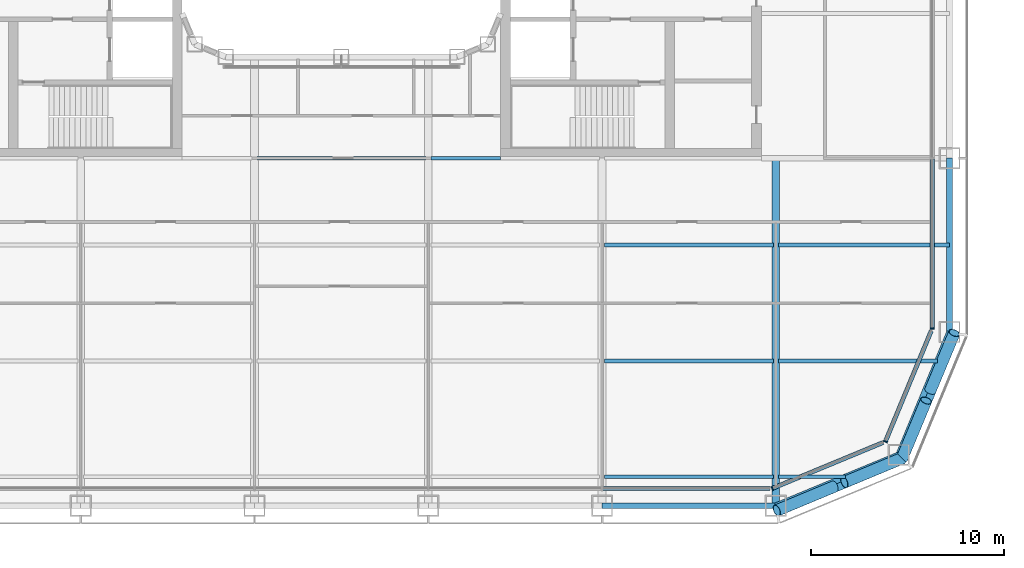
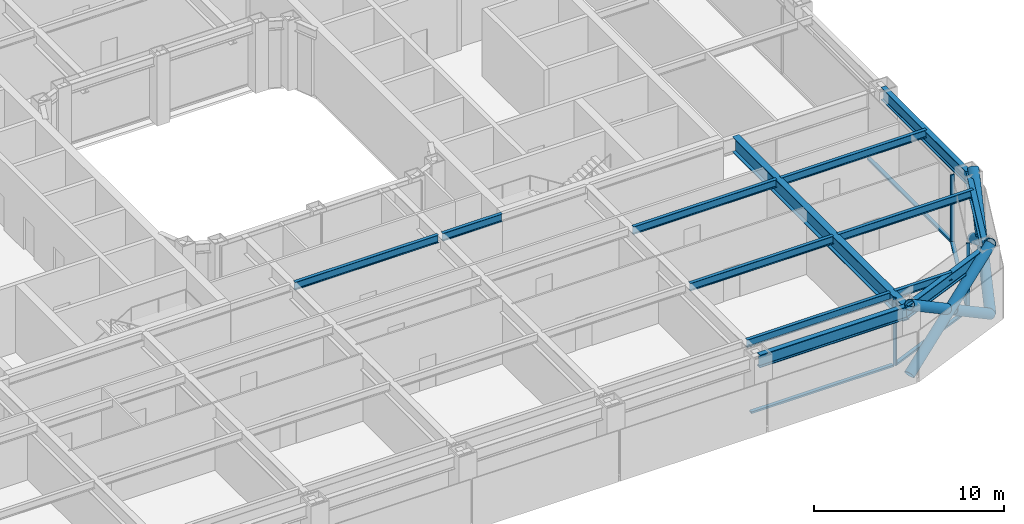
# One storey, part 4 of 30: 13 beams, 13 members, 4 elements without a shape of their own.
"""IFC4 building model written with IfcOpenShell, lengths in metres."""

import ifcopenshell
import ifcopenshell.guid

model = None  # the IFC model being written
_history = None  # IfcOwnerHistory: only IFC2X3 demands one
_inside = {}  # id of a spatial element -> (the spatial element, [elements in it])
_under = {}  # id of a project, library or spatial element -> (it, [spatial elements below it])
_declared = {}  # id of a project -> (the project, [libraries it declares])
_typed = {}  # id of a type object -> (the type object, [elements of that type])
_made_of = {}  # id of a material, layer set ... -> (it, [elements and type objects made of it])


def new_model(schema):
    """Start an empty IFC model of exactly this schema.

    Asked for "IFC4X3", IfcOpenShell would pick the latest addendum, in which some entities
    have other attributes; the version numbers below select the first issue.
    IFC2X3 requires an IfcOwnerHistory on every rooted entity: one is made here for all.
    """
    global model, _history
    if schema == "IFC4X3":
        model = ifcopenshell.file(schema_version=(4, 3, 0, 0))
    else:
        model = ifcopenshell.file(schema=schema)
    _inside.clear()
    _under.clear()
    _declared.clear()
    _typed.clear()
    _made_of.clear()
    _history = None
    if model.schema == "IFC2X3":
        org = make("IfcOrganization", Name="unknown")
        user = make(
            "IfcPersonAndOrganization",
            ThePerson=make("IfcPerson", FamilyName="unknown"),
            TheOrganization=org,
        )
        app = make(
            "IfcApplication",
            ApplicationDeveloper=org,
            Version="unknown",
            ApplicationFullName="unknown",
            ApplicationIdentifier="unknown",
        )
        _history = make(
            "IfcOwnerHistory",
            OwningUser=user,
            OwningApplication=app,
            ChangeAction="ADDED",
            CreationDate=0,
        )
    return model


def make(cls, **values):
    """One entity of the class cls with the attributes given. An attribute that is None is left unset."""
    return model.create_entity(
        cls, **{name: value for name, value in values.items() if value is not None}
    )


def rooted(cls, **values):
    """An entity with a GlobalId (a new one), such as an element, a storey or a relation."""
    return make(cls, GlobalId=ifcopenshell.guid.new(), OwnerHistory=_history, **values)


def si_unit(unit_type, name, prefix=None):
    """IfcSIUnit, for example si_unit("LENGTHUNIT", "METRE", prefix="MILLI")."""
    return make("IfcSIUnit", UnitType=unit_type, Prefix=prefix, Name=name)


def assignment(units):
    """IfcUnitAssignment: the units of a project."""
    return None if units is None else make("IfcUnitAssignment", Units=units)


def point(xyz):
    """IfcCartesianPoint."""
    return None if xyz is None else make("IfcCartesianPoint", Coordinates=xyz)


def direction(xyz):
    """IfcDirection."""
    return None if xyz is None else make("IfcDirection", DirectionRatios=xyz)


def frame(location, z_axis=None, x_axis=None):
    """IfcAxis2Placement3D, a coordinate frame: its origin and axes. An axis left out is left unset."""
    return make(
        "IfcAxis2Placement3D",
        Location=point(location),
        Axis=direction(z_axis),
        RefDirection=direction(x_axis),
    )


def frame_2d(location, x_axis=None):
    """IfcAxis2Placement2D, a coordinate frame in the plane: its origin and x axis."""
    return make(
        "IfcAxis2Placement2D", Location=point(location), RefDirection=direction(x_axis)
    )


def origin():
    """The frame at (0, 0, 0) with its axes left unset."""
    return frame((0.0, 0.0, 0.0))


def origin_2d():
    """The frame at (0, 0) in the plane with its x axis left unset."""
    return frame_2d((0.0, 0.0))


def place(relative_to, where):
    """IfcLocalPlacement: puts the frame where relative to a parent placement (None: the world)."""
    return make(
        "IfcLocalPlacement", PlacementRelTo=relative_to, RelativePlacement=where
    )


def context(
    kind, dimensions, precision=None, world=None, true_north=None, identifier=None
):
    """IfcGeometricRepresentationContext, for example the 3D "Model" context."""
    return make(
        "IfcGeometricRepresentationContext",
        ContextIdentifier=identifier,
        ContextType=kind,
        CoordinateSpaceDimension=dimensions,
        Precision=precision,
        WorldCoordinateSystem=world,
        TrueNorth=true_north,
    )


def subcontext(parent, identifier, kind, view, scale=None):
    """IfcGeometricRepresentationSubContext, for example "Body" below "Model"."""
    return make(
        "IfcGeometricRepresentationSubContext",
        ContextIdentifier=identifier,
        ContextType=kind,
        ParentContext=parent,
        TargetScale=scale,
        TargetView=view,
    )


def project(units=None, contexts=None):
    """IfcProject with its units and contexts."""
    return rooted(
        "IfcProject",
        Name="project",
        RepresentationContexts=contexts,
        UnitsInContext=assignment(units),
    )


def spatial(cls, under=None, at=None, **own):
    """A site, building, storey or space (cls), placed at a placement, below another one or the project."""
    s = rooted(cls, ObjectPlacement=at, **own)
    if under is not None:
        _under.setdefault(under.id(), (under, []))[1].append(s)
    return s


def profile(cls, at=None, kind="AREA", **sizes):
    """A parametric profile (cls). Its sizes go by their IFC names, for example OverallWidth=200.0."""
    return make(cls, ProfileType=kind, Position=at, **sizes)


def rectangle(**sizes):
    """IfcRectangleProfileDef."""
    return profile("IfcRectangleProfileDef", **sizes)


def hollow_circle(**sizes):
    """IfcCircleHollowProfileDef."""
    return profile("IfcCircleHollowProfileDef", **sizes)


def i_section(**sizes):
    """IfcIShapeProfileDef."""
    return profile("IfcIShapeProfileDef", **sizes)


def extrude(swept, where, along, depth):
    """IfcExtrudedAreaSolid: the profile swept, set in the frame where, extruded along a direction by depth."""
    return make(
        "IfcExtrudedAreaSolid",
        SweptArea=swept,
        Position=where,
        ExtrudedDirection=direction(along),
        Depth=depth,
    )


def shape(context_of_items, identifier, shape_type, items):
    """IfcShapeRepresentation: the items that make up one representation, for example the "Body"."""
    return make(
        "IfcShapeRepresentation",
        ContextOfItems=context_of_items,
        RepresentationIdentifier=identifier,
        RepresentationType=shape_type,
        Items=items,
    )


def material(Name=None, Category=None):
    """IfcMaterial."""
    return make("IfcMaterial", Name=Name, Category=Category)


def layer(
    of_material, thickness, ventilated=None, Name=None, Category=None, Priority=None
):
    """IfcMaterialLayer: one layer of a wall or slab, of a material (None: an air gap)."""
    return make(
        "IfcMaterialLayer",
        Material=of_material,
        LayerThickness=thickness,
        IsVentilated=ventilated,
        Name=Name,
        Category=Category,
        Priority=Priority,
    )


def layer_set(layers, Name=None):
    """IfcMaterialLayerSet."""
    return make("IfcMaterialLayerSet", MaterialLayers=layers, LayerSetName=Name)


def material_profile(
    of_material, cross_section, Name=None, Category=None, Priority=None
):
    """IfcMaterialProfile: a cross section and its material."""
    return make(
        "IfcMaterialProfile",
        Name=Name,
        Material=of_material,
        Profile=cross_section,
        Priority=Priority,
        Category=Category,
    )


def profile_set(profiles, Name=None, composite=None):
    """IfcMaterialProfileSet."""
    return make(
        "IfcMaterialProfileSet",
        Name=Name,
        MaterialProfiles=profiles,
        CompositeProfile=composite,
    )


def made_of(thing, what):
    """Note that an element or type object is made of a material, layer set ...; save() writes the relation."""
    if what is not None:
        _made_of.setdefault(what.id(), (what, []))[1].append(thing)
    return thing


def type_object(cls, material=None, **own):
    """A type object (cls), such as IfcWallType, which elements share."""
    return made_of(rooted(cls, **own), material)


def element(
    cls,
    number,
    at=None,
    inside=None,
    cuts=None,
    type_object=None,
    material=None,
    context=None,
    identifier="Body",
    shape_type=None,
    held_by="IfcProductDefinitionShape",
    body=None,
    shapes=None,
    **own,
):
    """One element of the class cls, such as IfcWall. Its Tag is "e" and its number.

    at: its placement. inside: the storey or other place that contains it. cuts: it is an
    opening in that element (IfcRelVoidsElement). A single representation is given by context,
    identifier, shape_type and body (its items); several are given by shapes. held_by: the class
    of the entity that holds the representations. save() writes the other relations.
    """
    e = rooted(cls, Tag="e%d" % number, ObjectPlacement=at, **own)
    if body is not None:
        shapes = [shape(context, identifier, shape_type, body)]
    if shapes is not None:
        e.Representation = make(held_by, Representations=shapes)
    if inside is not None:
        _inside.setdefault(inside.id(), (inside, []))[1].append(e)
    if cuts is not None:
        rooted(
            "IfcRelVoidsElement", RelatingBuildingElement=cuts, RelatedOpeningElement=e
        )
    if type_object is not None:
        _typed.setdefault(type_object.id(), (type_object, []))[1].append(e)
    return made_of(e, material)


def aggregate(whole, parts):
    """IfcRelAggregates: a whole, such as a stair, and the parts it consists of."""
    return rooted("IfcRelAggregates", RelatingObject=whole, RelatedObjects=parts)


def save(model, path):
    """Write the relations noted so far, then the file.

    IfcRelAggregates (storeys below a building ...), IfcRelContainedInSpatialStructure (elements
    in a storey), IfcRelDefinesByType, IfcRelAssociatesMaterial and IfcRelDeclares: one each for
    every whole, place, type object, material and project.
    """
    for whole, parts in _under.values():
        aggregate(whole, parts)
    for where, things in _inside.values():
        rooted(
            "IfcRelContainedInSpatialStructure",
            RelatedElements=things,
            RelatingStructure=where,
        )
    for kind, things in _typed.values():
        rooted("IfcRelDefinesByType", RelatedObjects=things, RelatingType=kind)
    for what, things in _made_of.values():
        rooted("IfcRelAssociatesMaterial", RelatedObjects=things, RelatingMaterial=what)
    for by, libraries in _declared.values():
        rooted("IfcRelDeclares", RelatingContext=by, RelatedDefinitions=libraries)
    model.write(path)


model = new_model("IFC4")

# Units and contexts
model_context = context("Model", 3, precision=1e-05, world=origin(), true_north=direction((0.0, 1.0)))
body_context = subcontext(model_context, "Body", "Model", "MODEL_VIEW")
ifc_project = project(units=[si_unit("LENGTHUNIT", "METRE"), si_unit("AREAUNIT", "SQUARE_METRE"), si_unit("VOLUMEUNIT", "CUBIC_METRE"), si_unit("PLANEANGLEUNIT", "RADIAN"), si_unit("MASSUNIT", "GRAM", prefix="KILO")], contexts=[model_context])

# Site, building, storey
site_placement = place(None, origin())
site = spatial("IfcSite", under=ifc_project, at=site_placement, CompositionType="ELEMENT")
building_placement = place(site_placement, origin())
building = spatial("IfcBuilding", under=site, at=building_placement, Name="Siwar Civic Tower", CompositionType="ELEMENT")
storey_placement = place(building_placement, frame((0.0, 0.0, 44.699951171875)))
storey = spatial("IfcBuildingStorey", under=building, at=storey_placement, Name="L09", CompositionType="ELEMENT", Elevation=44.699951171875)

# Curtain wall, member
ifc_material_1 = material(Name="Aluminium clad insulated panel", Category="aluminium")
ifc_layer_1 = layer(ifc_material_1, 0.219970703125)
ifc_layer_set_1 = layer_set([ifc_layer_1], Name="Aluminium clad insulated panel")
curtain_wall_type_1 = type_object("IfcCurtainWallType", Name="ENV-CW-AX", PredefinedType="NOTDEFINED", material=ifc_layer_set_1)
curtain_wall_1_placement = place(storey_placement, origin())
curtain_wall_1 = element("IfcCurtainWall", 1, at=curtain_wall_1_placement, inside=storey, type_object=curtain_wall_type_1, Name="Curtain wall A SE1", PredefinedType="NOTDEFINED")
ifc_material_2 = material(Name="Aluminium 6063-T6", Category="aluminium")
ifc_material_profile_1 = material_profile(ifc_material_2, rectangle(XDim=0.219970703125, YDim=0.070068359375, at=origin_2d()), Name="AL 220x70")
ifc_profile_set_1 = profile_set([ifc_material_profile_1], Name="Aluminium 6063-T6")
member_type_1 = type_object("IfcMemberType", Name="ENV-MULLION-A", PredefinedType="MULLION", material=ifc_profile_set_1)
member_1_placement = place(storey_placement, frame((22.321044921875, -30.60009765625, 0.0), z_axis=(0.0, 0.0, 1.0), x_axis=(-0.382683432365, 0.923879532511, 0.0)))
member_1 = element("IfcMember", 2, at=member_1_placement, type_object=member_type_1, Name="Mullion A SE1 1", PredefinedType="MULLION", context=body_context, shape_type="SweptSolid", body=[
    extrude(rectangle(XDim=0.219970703125, YDim=0.070068359375, at=origin_2d()), origin(), (0.0, 0.0, 1.0), 4.35009765625),
])

curtain_wall_2_placement = place(storey_placement, origin())
curtain_wall_2 = element("IfcCurtainWall", 3, at=curtain_wall_2_placement, inside=storey, type_object=curtain_wall_type_1, Name="Curtain wall A SE2", PredefinedType="NOTDEFINED")
member_2_placement = place(storey_placement, frame((28.175048828125, -28.175048828125, 0.0), z_axis=(0.0, 0.0, 1.0), x_axis=(-0.923879532511, 0.382683432365, 0.0)))
member_2 = element("IfcMember", 4, at=member_2_placement, type_object=member_type_1, Name="Mullion A SE2 1", PredefinedType="MULLION", context=body_context, shape_type="SweptSolid", body=[
    extrude(rectangle(XDim=0.219970703125, YDim=0.070068359375, at=origin_2d()), origin(), (0.0, 0.0, 1.0), 4.35009765625),
])

ifc_material_3 = material(Name="Aluminium and glass", Category="aluminium")
ifc_layer_2 = layer(ifc_material_3, 0.219970703125)
ifc_layer_set_2 = layer_set([ifc_layer_2], Name="Aluminium and glass")
curtain_wall_type_2 = type_object("IfcCurtainWallType", Name="ENV-CW-A", PredefinedType="NOTDEFINED", material=ifc_layer_set_2)
curtain_wall_3_placement = place(storey_placement, origin())
curtain_wall_3 = element("IfcCurtainWall", 5, at=curtain_wall_3_placement, inside=storey, type_object=curtain_wall_type_2, Name="Curtain wall A E", PredefinedType="NOTDEFINED")
member_3_placement = place(storey_placement, frame((30.60009765625, -22.321044921875, 0.0), z_axis=(0.0, 0.0, 1.0), x_axis=(-1.0, 0.0, 0.0)))
member_3 = element("IfcMember", 6, at=member_3_placement, type_object=member_type_1, Name="Mullion A E 1", PredefinedType="MULLION", context=body_context, shape_type="SweptSolid", body=[
    extrude(rectangle(XDim=0.219970703125, YDim=0.070068359375, at=origin_2d()), origin(), (0.0, 0.0, 1.0), 4.35009765625),
])

curtain_wall_4_placement = place(storey_placement, origin())
curtain_wall_4 = element("IfcCurtainWall", 7, at=curtain_wall_4_placement, inside=storey, type_object=curtain_wall_type_2, Name="Curtain wall A S", PredefinedType="NOTDEFINED")
ifc_material_4 = material(Name="Aluminium 6063-T6", Category="aluminium")
ifc_material_profile_2 = material_profile(ifc_material_4, rectangle(XDim=0.219970703125, YDim=0.1201171875, at=origin_2d()), Name="AL 220x120")
ifc_profile_set_2 = profile_set([ifc_material_profile_2], Name="Aluminium 6063-T6")
member_type_2 = type_object("IfcMemberType", Name="ENV-TRANSOM-A", PredefinedType="USERDEFINED", material=ifc_profile_set_2)
member_4_placement = place(storey_placement, frame((13.534912109375, -30.60009765625, 0.06005859375), z_axis=(1.0, 0.0, 0.0), x_axis=(0.0, 1.0, 0.0)))
member_4 = element("IfcMember", 8, at=member_4_placement, type_object=member_type_2, Name="Transom A S 5", ObjectType="TRANSOM", PredefinedType="USERDEFINED", context=body_context, shape_type="SweptSolid", body=[
    extrude(rectangle(XDim=0.219970703125, YDim=0.1201171875, at=origin_2d()), origin(), (0.0, 0.0, 1.0), 8.66357421875),
])
aggregate(curtain_wall_4, [member_4])

# Member
member_5_placement = place(storey_placement, frame((22.353271484375, -30.586669921875, 0.06005859375), z_axis=(0.923873326341, 0.382698415042, 0.0), x_axis=(-0.382698415042, 0.923873326341, 0.0)))
member_5 = element("IfcMember", 9, at=member_5_placement, type_object=member_type_2, Name="Transom A SE1 1", ObjectType="TRANSOM", PredefinedType="USERDEFINED", context=body_context, shape_type="SweptSolid", body=[
    extrude(rectangle(XDim=0.219970703125, YDim=0.1201171875, at=origin_2d()), origin(), (0.0, 0.0, 1.0), 6.17919921875),
])

aggregate(curtain_wall_1, [member_1, member_5])

member_6_placement = place(storey_placement, frame((28.1884765625, -28.142822265625, 0.06005859375), z_axis=(0.382698415042, 0.923873326341, 0.0), x_axis=(-0.923873326341, 0.382698415042, 0.0)))
member_6 = element("IfcMember", 10, at=member_6_placement, type_object=member_type_2, Name="Transom A SE2 1", ObjectType="TRANSOM", PredefinedType="USERDEFINED", context=body_context, shape_type="SweptSolid", body=[
    extrude(rectangle(XDim=0.219970703125, YDim=0.1201171875, at=origin_2d()), origin(), (0.0, 0.0, 1.0), 6.17919921875),
])

aggregate(curtain_wall_2, [member_2, member_6])

member_7_placement = place(storey_placement, frame((30.60009765625, -22.285888671875, 0.06005859375), z_axis=(0.0, 1.0, 0.0), x_axis=(-1.0, 0.0, 0.0)))
member_7 = element("IfcMember", 11, at=member_7_placement, type_object=member_type_2, Name="Transom A E 1", ObjectType="TRANSOM", PredefinedType="USERDEFINED", context=body_context, shape_type="SweptSolid", body=[
    extrude(rectangle(XDim=0.219970703125, YDim=0.1201171875, at=origin_2d()), origin(), (0.0, 0.0, 1.0), 8.7509765625),
])

aggregate(curtain_wall_3, [member_3, member_7])

# Members
ifc_material_5 = material(Name="Steel S355", Category="steel")
ifc_material_profile_3 = material_profile(ifc_material_5, hollow_circle(Radius=0.304931640625, WallThickness=0.030029296875, at=origin_2d()), Name="CHS610x30")
ifc_profile_set_3 = profile_set([ifc_material_profile_3], Name="Steel S355")
member_type_3 = type_object("IfcMemberType", Name="STR-BR-CHS610x30", PredefinedType="BRACE", material=ifc_profile_set_3)
member_8_placement = place(storey_placement, frame((31.7451171875, -22.548828125, 0.0), z_axis=(-0.323905527954, -0.777554562952, 0.538975055633), x_axis=(0.923108759191, -0.384538969033, 0.0)))
element("IfcMember", 12, at=member_8_placement, inside=storey, type_object=member_type_3, Name="L09/brc/ASE1-8-0-1", PredefinedType="BRACE", context=body_context, shape_type="SweptSolid", body=[
    extrude(hollow_circle(Radius=0.304931640625, WallThickness=0.030029296875, at=origin_2d()), origin(), (0.0, 0.0, 1.0), 8.34912109375),
])
member_9_placement = place(storey_placement, frame((29.040771484375, -29.040771484375, 0.0), z_axis=(0.323922979564, 0.777542179573, 0.53898243227), x_axis=(-0.923099230484, 0.384561842466, 0.0)))
element("IfcMember", 13, at=member_9_placement, inside=storey, type_object=member_type_3, Name="L09/brc/ASE1-8-0-2", PredefinedType="BRACE", context=body_context, shape_type="SweptSolid", body=[
    extrude(hollow_circle(Radius=0.304931640625, WallThickness=0.030029296875, at=origin_2d()), origin(), (0.0, 0.0, 1.0), 3.84375),
])
member_10_placement = place(storey_placement, frame((30.500244140625, -25.537353515625, 2.428466796875), z_axis=(0.3238932121, 0.777559680196, 0.53897507446), x_axis=(-0.923114847559, 0.384524353215, 0.0)))
element("IfcMember", 14, at=member_10_placement, inside=storey, type_object=member_type_3, Name="L09/brc/ASE1-8-0-3", PredefinedType="BRACE", context=body_context, shape_type="SweptSolid", body=[
    extrude(hollow_circle(Radius=0.304931640625, WallThickness=0.030029296875, at=origin_2d()), origin(), (0.0, 0.0, 1.0), 3.843505859375),
])
member_11_placement = place(storey_placement, frame((22.548828125, -31.7451171875, 0.0), z_axis=(0.777554562952, 0.323905527954, 0.538975055633), x_axis=(-0.384538969033, 0.923108759191, 0.0)))
element("IfcMember", 15, at=member_11_placement, inside=storey, type_object=member_type_3, Name="L09/brc/ASE1-8-0-0", PredefinedType="BRACE", context=body_context, shape_type="SweptSolid", body=[
    extrude(hollow_circle(Radius=0.304931640625, WallThickness=0.030029296875, at=origin_2d()), origin(), (0.0, 0.0, 1.0), 8.34912109375),
])
member_12_placement = place(storey_placement, frame((29.040771484375, -29.040771484375, 0.0), z_axis=(-0.777542179573, -0.323922979564, 0.53898243227), x_axis=(0.384561842466, -0.923099230484, 0.0)))
element("IfcMember", 16, at=member_12_placement, inside=storey, type_object=member_type_3, Name="L09/brc/ASE1-8-0-4", PredefinedType="BRACE", context=body_context, shape_type="SweptSolid", body=[
    extrude(hollow_circle(Radius=0.304931640625, WallThickness=0.030029296875, at=origin_2d()), origin(), (0.0, 0.0, 1.0), 3.84375),
])
member_13_placement = place(storey_placement, frame((25.537353515625, -30.500244140625, 2.428466796875), z_axis=(-0.777559680196, -0.3238932121, 0.53897507446), x_axis=(0.384524353215, -0.923114847559, 0.0)))
element("IfcMember", 17, at=member_13_placement, inside=storey, type_object=member_type_3, Name="L09/brc/ASE1-8-0-5", PredefinedType="BRACE", context=body_context, shape_type="SweptSolid", body=[
    extrude(hollow_circle(Radius=0.304931640625, WallThickness=0.030029296875, at=origin_2d()), origin(), (0.0, 0.0, 1.0), 3.843505859375),
])

# Beams
ifc_material_6 = material(Name="Steel S355", Category="steel")
ifc_material_profile_4 = material_profile(ifc_material_6, i_section(OverallWidth=0.199951171875, OverallDepth=0.5, WebThickness=0.01025390625, FlangeThickness=0.01611328125, FilletRadius=0.02099609375, at=origin_2d()), Name="IPE500")
ifc_profile_set_4 = profile_set([ifc_material_profile_4], Name="Steel S355")
beam_type_1 = type_object("IfcBeamType", Name="STR-FB-IPE500", PredefinedType="JOIST", material=ifc_profile_set_4)
beam_1_placement = place(storey_placement, frame((13.6298828125, -30.0, 4.10009765625), z_axis=(1.0, 0.0, 0.0), x_axis=(0.0, 1.0, 0.0)))
element("IfcBeam", 18, at=beam_1_placement, inside=storey, type_object=beam_type_1, Name="L09/bm/F006", PredefinedType="JOIST", context=body_context, shape_type="SweptSolid", body=[
    extrude(i_section(OverallWidth=0.199951171875, OverallDepth=0.5, WebThickness=0.01025390625, FlangeThickness=0.01611328125, FilletRadius=0.02099609375, at=origin_2d()), origin(), (0.0, 0.0, 1.0), 8.740234375),
])
beam_2_placement = place(storey_placement, frame((22.6298828125, -30.0, 4.10009765625), z_axis=(1.0, 0.0, 0.0), x_axis=(0.0, 1.0, 0.0)))
element("IfcBeam", 19, at=beam_2_placement, inside=storey, type_object=beam_type_1, Name="L09/bm/F007", PredefinedType="JOIST", context=body_context, shape_type="SweptSolid", body=[
    extrude(i_section(OverallWidth=0.199951171875, OverallDepth=0.5, WebThickness=0.01025390625, FlangeThickness=0.01611328125, FilletRadius=0.02099609375, at=origin_2d()), origin(), (0.0, 0.0, 1.0), 3.491455078125),
])
beam_3_placement = place(storey_placement, frame((13.6298828125, -24.0, 4.10009765625), z_axis=(1.0, 0.0, 0.0), x_axis=(0.0, 1.0, 0.0)))
element("IfcBeam", 20, at=beam_3_placement, inside=storey, type_object=beam_type_1, Name="L09/bm/F013", PredefinedType="JOIST", context=body_context, shape_type="SweptSolid", body=[
    extrude(i_section(OverallWidth=0.199951171875, OverallDepth=0.5, WebThickness=0.01025390625, FlangeThickness=0.01611328125, FilletRadius=0.02099609375, at=origin_2d()), origin(), (0.0, 0.0, 1.0), 8.740234375),
])
beam_4_placement = place(storey_placement, frame((22.6298828125, -24.0, 4.10009765625), z_axis=(1.0, 0.0, 0.0), x_axis=(0.0, 1.0, 0.0)))
element("IfcBeam", 21, at=beam_4_placement, inside=storey, type_object=beam_type_1, Name="L09/bm/F014", PredefinedType="JOIST", context=body_context, shape_type="SweptSolid", body=[
    extrude(i_section(OverallWidth=0.199951171875, OverallDepth=0.5, WebThickness=0.01025390625, FlangeThickness=0.01611328125, FilletRadius=0.02099609375, at=origin_2d()), origin(), (0.0, 0.0, 1.0), 8.248779296875),
])
beam_5_placement = place(storey_placement, frame((13.6298828125, -18.0, 4.10009765625), z_axis=(1.0, 0.0, 0.0), x_axis=(0.0, 1.0, 0.0)))
element("IfcBeam", 22, at=beam_5_placement, inside=storey, type_object=beam_type_1, Name="L09/bm/F020", PredefinedType="JOIST", context=body_context, shape_type="SweptSolid", body=[
    extrude(i_section(OverallWidth=0.199951171875, OverallDepth=0.5, WebThickness=0.01025390625, FlangeThickness=0.01611328125, FilletRadius=0.02099609375, at=origin_2d()), origin(), (0.0, 0.0, 1.0), 8.740234375),
])
beam_6_placement = place(storey_placement, frame((22.6298828125, -18.0, 4.10009765625), z_axis=(1.0, 0.0, 0.0), x_axis=(0.0, 1.0, 0.0)))
element("IfcBeam", 23, at=beam_6_placement, inside=storey, type_object=beam_type_1, Name="L09/bm/F021", PredefinedType="JOIST", context=body_context, shape_type="SweptSolid", body=[
    extrude(i_section(OverallWidth=0.199951171875, OverallDepth=0.5, WebThickness=0.01025390625, FlangeThickness=0.01611328125, FilletRadius=0.02099609375, at=origin_2d()), origin(), (0.0, 0.0, 1.0), 8.8701171875),
])
beam_7_placement = place(storey_placement, frame((-4.3701171875, -13.5, 4.10009765625), z_axis=(1.0, 0.0, 0.0), x_axis=(0.0, 1.0, 0.0)))
element("IfcBeam", 24, at=beam_7_placement, inside=storey, type_object=beam_type_1, Name="L09/bm/F026", PredefinedType="JOIST", context=body_context, shape_type="SweptSolid", body=[
    extrude(i_section(OverallWidth=0.199951171875, OverallDepth=0.5, WebThickness=0.01025390625, FlangeThickness=0.01611328125, FilletRadius=0.02099609375, at=origin_2d()), origin(), (0.0, 0.0, 1.0), 8.740234375),
])
beam_8_placement = place(storey_placement, frame((4.6298828125, -13.5, 4.10009765625), z_axis=(1.0, 0.0, 0.0), x_axis=(0.0, 1.0, 0.0)))
element("IfcBeam", 25, at=beam_8_placement, inside=storey, type_object=beam_type_1, Name="L09/bm/F027", PredefinedType="JOIST", context=body_context, shape_type="SweptSolid", body=[
    extrude(i_section(OverallWidth=0.199951171875, OverallDepth=0.5, WebThickness=0.01025390625, FlangeThickness=0.01611328125, FilletRadius=0.02099609375, at=origin_2d()), origin(), (0.0, 0.0, 1.0), 3.6201171875),
])
ifc_material_7 = material(Name="Steel S355", Category="steel")
ifc_material_profile_5 = material_profile(ifc_material_7, i_section(OverallWidth=0.39990234375, OverallDepth=1.0, WebThickness=0.01611328125, FlangeThickness=0.0400390625, at=origin_2d()), Name="PG1000x400x16x40")
ifc_profile_set_5 = profile_set([ifc_material_profile_5], Name="Steel S355")
beam_type_2 = type_object("IfcBeamType", Name="STR-PG-PG1000x400x16x40", PredefinedType="BEAM", material=ifc_profile_set_5)
beam_9_placement = place(storey_placement, frame((22.5, -31.5, 3.85009765625), z_axis=(0.0, 1.0, 0.0), x_axis=(-1.0, 0.0, 0.0)))
element("IfcBeam", 26, at=beam_9_placement, inside=storey, type_object=beam_type_2, Name="L09/bm/G11", PredefinedType="BEAM", context=body_context, shape_type="SweptSolid", body=[
    extrude(i_section(OverallWidth=0.39990234375, OverallDepth=1.0, WebThickness=0.01611328125, FlangeThickness=0.0400390625, at=origin_2d()), origin(), (0.0, 0.0, 1.0), 18.0),
])
ifc_material_8 = material(Name="Steel S355", Category="steel")
ifc_material_profile_6 = material_profile(ifc_material_8, i_section(OverallWidth=0.302978515625, OverallDepth=0.81396484375, WebThickness=0.02099609375, FlangeThickness=0.0400390625, FilletRadius=0.030029296875, at=origin_2d()), Name="HEM800")
ifc_profile_set_6 = profile_set([ifc_material_profile_6], Name="Steel S355")
beam_type_3 = type_object("IfcBeamType", Name="STR-SB-HEM800", PredefinedType="BEAM", material=ifc_profile_set_6)
beam_10_placement = place(storey_placement, frame((13.5, -31.5, 3.943115234375), z_axis=(1.0, 0.0, 0.0), x_axis=(0.0, 1.0, 0.0)))
element("IfcBeam", 27, at=beam_10_placement, inside=storey, type_object=beam_type_3, Name="L09/bm/SS-4", PredefinedType="BEAM", context=body_context, shape_type="SweptSolid", body=[
    extrude(i_section(OverallWidth=0.302978515625, OverallDepth=0.81396484375, WebThickness=0.02099609375, FlangeThickness=0.0400390625, FilletRadius=0.030029296875, at=origin_2d()), origin(), (0.0, 0.0, 1.0), 9.0),
])
for number, where, z_axis, x_axis, name in (
    (28, (22.5, -31.5, 3.943115234375), (0.923883353507, 0.382674207535, 0.0), (-0.382674207535, 0.923883353507, 0.0), "L09/bm/SSE1-0"),
    (29, (28.864013671875, -28.864013671875, 3.943115234375), (0.382674207535, 0.923883353507, 0.0), (-0.923883353507, 0.382674207535, 0.0), "L09/bm/SSE2-0"),
):
    element("IfcBeam", number, at=place(storey_placement, frame(where, z_axis=z_axis, x_axis=x_axis)), inside=storey, type_object=beam_type_3, Name=name, PredefinedType="BEAM", context=body_context, shape_type="SweptSolid", body=[
        extrude(i_section(OverallWidth=0.302978515625, OverallDepth=0.81396484375, WebThickness=0.02099609375, FlangeThickness=0.0400390625, FilletRadius=0.030029296875, at=origin_2d()), origin(), (0.0, 0.0, 1.0), 6.888427734375),
    ])
beam_11_placement = place(storey_placement, frame((31.5, -22.5, 3.943115234375), z_axis=(0.0, 1.0, 0.0), x_axis=(-1.0, 0.0, 0.0)))
element("IfcBeam", 30, at=beam_11_placement, inside=storey, type_object=beam_type_3, Name="L09/bm/SE-0", PredefinedType="BEAM", context=body_context, shape_type="SweptSolid", body=[
    extrude(i_section(OverallWidth=0.302978515625, OverallDepth=0.81396484375, WebThickness=0.02099609375, FlangeThickness=0.0400390625, FilletRadius=0.030029296875, at=origin_2d()), origin(), (0.0, 0.0, 1.0), 9.0),
])

save(model, "model.ifc")
